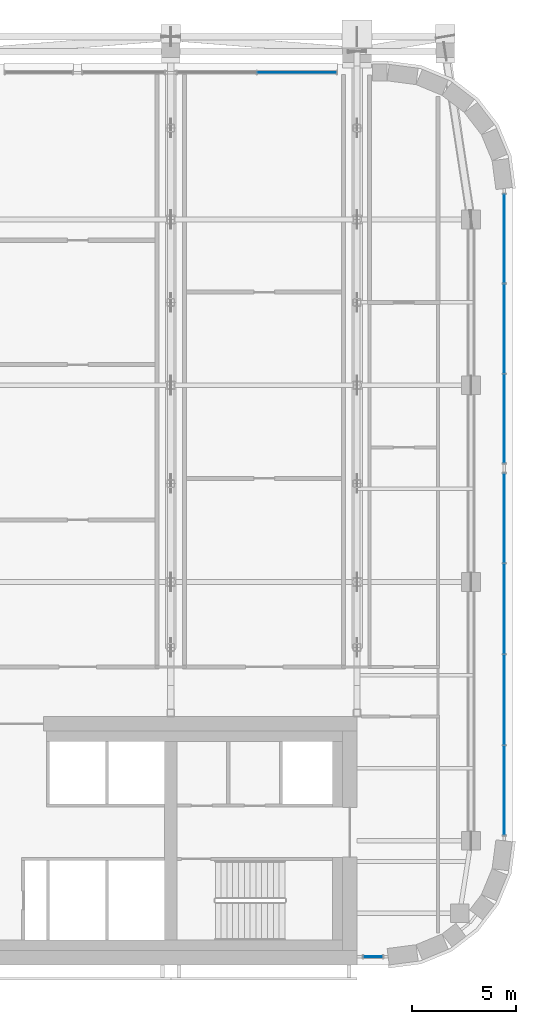
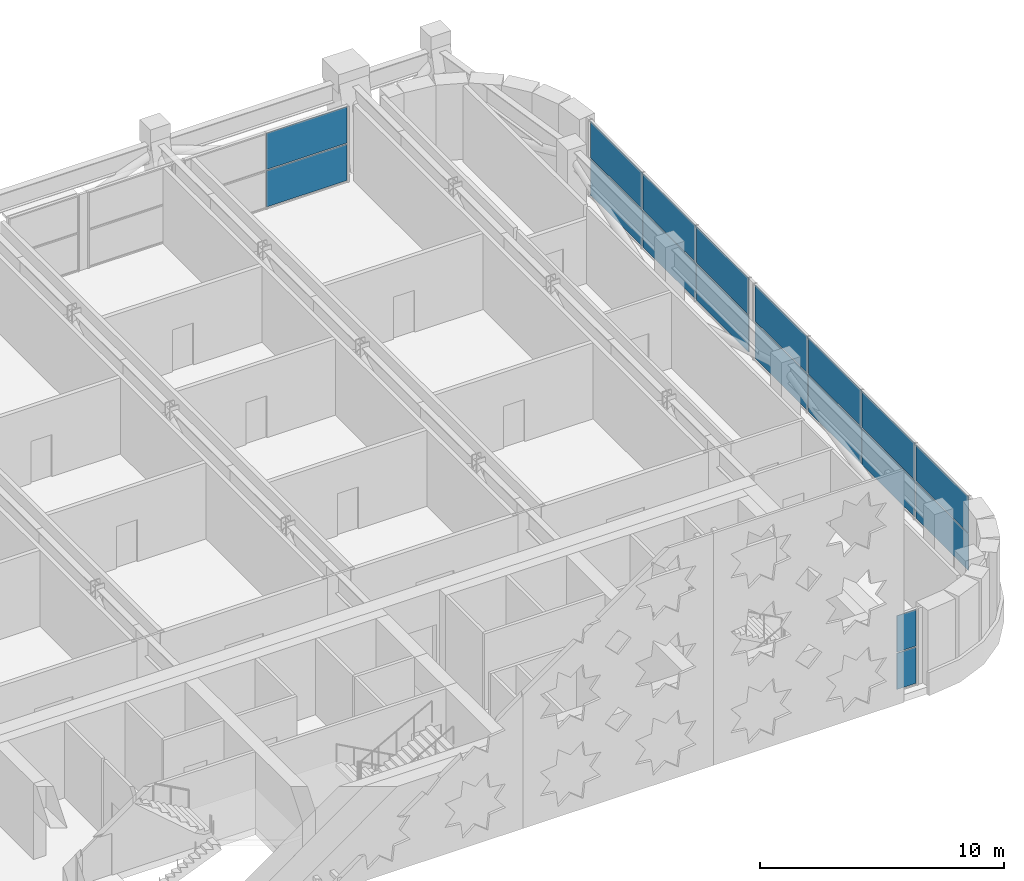
# One storey, part 15 of 26: 18 plates, 4 elements without a shape of their own.
"""IFC4 building model written with IfcOpenShell, lengths in metres."""

import ifcopenshell
import ifcopenshell.guid

model = None  # the IFC model being written
_history = None  # IfcOwnerHistory: only IFC2X3 demands one
_inside = {}  # id of a spatial element -> (the spatial element, [elements in it])
_under = {}  # id of a project, library or spatial element -> (it, [spatial elements below it])
_declared = {}  # id of a project -> (the project, [libraries it declares])
_typed = {}  # id of a type object -> (the type object, [elements of that type])
_made_of = {}  # id of a material, layer set ... -> (it, [elements and type objects made of it])


def new_model(schema):
    """Start an empty IFC model of exactly this schema.

    Asked for "IFC4X3", IfcOpenShell would pick the latest addendum, in which some entities
    have other attributes; the version numbers below select the first issue.
    IFC2X3 requires an IfcOwnerHistory on every rooted entity: one is made here for all.
    """
    global model, _history
    if schema == "IFC4X3":
        model = ifcopenshell.file(schema_version=(4, 3, 0, 0))
    else:
        model = ifcopenshell.file(schema=schema)
    _inside.clear()
    _under.clear()
    _declared.clear()
    _typed.clear()
    _made_of.clear()
    _history = None
    if model.schema == "IFC2X3":
        org = make("IfcOrganization", Name="unknown")
        user = make(
            "IfcPersonAndOrganization",
            ThePerson=make("IfcPerson", FamilyName="unknown"),
            TheOrganization=org,
        )
        app = make(
            "IfcApplication",
            ApplicationDeveloper=org,
            Version="unknown",
            ApplicationFullName="unknown",
            ApplicationIdentifier="unknown",
        )
        _history = make(
            "IfcOwnerHistory",
            OwningUser=user,
            OwningApplication=app,
            ChangeAction="ADDED",
            CreationDate=0,
        )
    return model


def make(cls, **values):
    """One entity of the class cls with the attributes given. An attribute that is None is left unset."""
    return model.create_entity(
        cls, **{name: value for name, value in values.items() if value is not None}
    )


def rooted(cls, **values):
    """An entity with a GlobalId (a new one), such as an element, a storey or a relation."""
    return make(cls, GlobalId=ifcopenshell.guid.new(), OwnerHistory=_history, **values)


def si_unit(unit_type, name, prefix=None):
    """IfcSIUnit, for example si_unit("LENGTHUNIT", "METRE", prefix="MILLI")."""
    return make("IfcSIUnit", UnitType=unit_type, Prefix=prefix, Name=name)


def assignment(units):
    """IfcUnitAssignment: the units of a project."""
    return None if units is None else make("IfcUnitAssignment", Units=units)


def point(xyz):
    """IfcCartesianPoint."""
    return None if xyz is None else make("IfcCartesianPoint", Coordinates=xyz)


def direction(xyz):
    """IfcDirection."""
    return None if xyz is None else make("IfcDirection", DirectionRatios=xyz)


def frame(location, z_axis=None, x_axis=None):
    """IfcAxis2Placement3D, a coordinate frame: its origin and axes. An axis left out is left unset."""
    return make(
        "IfcAxis2Placement3D",
        Location=point(location),
        Axis=direction(z_axis),
        RefDirection=direction(x_axis),
    )


def frame_2d(location, x_axis=None):
    """IfcAxis2Placement2D, a coordinate frame in the plane: its origin and x axis."""
    return make(
        "IfcAxis2Placement2D", Location=point(location), RefDirection=direction(x_axis)
    )


def origin():
    """The frame at (0, 0, 0) with its axes left unset."""
    return frame((0.0, 0.0, 0.0))


def origin_2d():
    """The frame at (0, 0) in the plane with its x axis left unset."""
    return frame_2d((0.0, 0.0))


def place(relative_to, where):
    """IfcLocalPlacement: puts the frame where relative to a parent placement (None: the world)."""
    return make(
        "IfcLocalPlacement", PlacementRelTo=relative_to, RelativePlacement=where
    )


def context(
    kind, dimensions, precision=None, world=None, true_north=None, identifier=None
):
    """IfcGeometricRepresentationContext, for example the 3D "Model" context."""
    return make(
        "IfcGeometricRepresentationContext",
        ContextIdentifier=identifier,
        ContextType=kind,
        CoordinateSpaceDimension=dimensions,
        Precision=precision,
        WorldCoordinateSystem=world,
        TrueNorth=true_north,
    )


def subcontext(parent, identifier, kind, view, scale=None):
    """IfcGeometricRepresentationSubContext, for example "Body" below "Model"."""
    return make(
        "IfcGeometricRepresentationSubContext",
        ContextIdentifier=identifier,
        ContextType=kind,
        ParentContext=parent,
        TargetScale=scale,
        TargetView=view,
    )


def project(units=None, contexts=None):
    """IfcProject with its units and contexts."""
    return rooted(
        "IfcProject",
        Name="project",
        RepresentationContexts=contexts,
        UnitsInContext=assignment(units),
    )


def spatial(cls, under=None, at=None, **own):
    """A site, building, storey or space (cls), placed at a placement, below another one or the project."""
    s = rooted(cls, ObjectPlacement=at, **own)
    if under is not None:
        _under.setdefault(under.id(), (under, []))[1].append(s)
    return s


def profile(cls, at=None, kind="AREA", **sizes):
    """A parametric profile (cls). Its sizes go by their IFC names, for example OverallWidth=200.0."""
    return make(cls, ProfileType=kind, Position=at, **sizes)


def rectangle(**sizes):
    """IfcRectangleProfileDef."""
    return profile("IfcRectangleProfileDef", **sizes)


def extrude(swept, where, along, depth):
    """IfcExtrudedAreaSolid: the profile swept, set in the frame where, extruded along a direction by depth."""
    return make(
        "IfcExtrudedAreaSolid",
        SweptArea=swept,
        Position=where,
        ExtrudedDirection=direction(along),
        Depth=depth,
    )


def shape(context_of_items, identifier, shape_type, items):
    """IfcShapeRepresentation: the items that make up one representation, for example the "Body"."""
    return make(
        "IfcShapeRepresentation",
        ContextOfItems=context_of_items,
        RepresentationIdentifier=identifier,
        RepresentationType=shape_type,
        Items=items,
    )


def material(Name=None, Category=None):
    """IfcMaterial."""
    return make("IfcMaterial", Name=Name, Category=Category)


def layer(
    of_material, thickness, ventilated=None, Name=None, Category=None, Priority=None
):
    """IfcMaterialLayer: one layer of a wall or slab, of a material (None: an air gap)."""
    return make(
        "IfcMaterialLayer",
        Material=of_material,
        LayerThickness=thickness,
        IsVentilated=ventilated,
        Name=Name,
        Category=Category,
        Priority=Priority,
    )


def layer_set(layers, Name=None):
    """IfcMaterialLayerSet."""
    return make("IfcMaterialLayerSet", MaterialLayers=layers, LayerSetName=Name)


def made_of(thing, what):
    """Note that an element or type object is made of a material, layer set ...; save() writes the relation."""
    if what is not None:
        _made_of.setdefault(what.id(), (what, []))[1].append(thing)
    return thing


def type_object(cls, material=None, **own):
    """A type object (cls), such as IfcWallType, which elements share."""
    return made_of(rooted(cls, **own), material)


def element(
    cls,
    number,
    at=None,
    inside=None,
    cuts=None,
    type_object=None,
    material=None,
    context=None,
    identifier="Body",
    shape_type=None,
    held_by="IfcProductDefinitionShape",
    body=None,
    shapes=None,
    **own,
):
    """One element of the class cls, such as IfcWall. Its Tag is "e" and its number.

    at: its placement. inside: the storey or other place that contains it. cuts: it is an
    opening in that element (IfcRelVoidsElement). A single representation is given by context,
    identifier, shape_type and body (its items); several are given by shapes. held_by: the class
    of the entity that holds the representations. save() writes the other relations.
    """
    e = rooted(cls, Tag="e%d" % number, ObjectPlacement=at, **own)
    if body is not None:
        shapes = [shape(context, identifier, shape_type, body)]
    if shapes is not None:
        e.Representation = make(held_by, Representations=shapes)
    if inside is not None:
        _inside.setdefault(inside.id(), (inside, []))[1].append(e)
    if cuts is not None:
        rooted(
            "IfcRelVoidsElement", RelatingBuildingElement=cuts, RelatedOpeningElement=e
        )
    if type_object is not None:
        _typed.setdefault(type_object.id(), (type_object, []))[1].append(e)
    return made_of(e, material)


def aggregate(whole, parts):
    """IfcRelAggregates: a whole, such as a stair, and the parts it consists of."""
    return rooted("IfcRelAggregates", RelatingObject=whole, RelatedObjects=parts)


def save(model, path):
    """Write the relations noted so far, then the file.

    IfcRelAggregates (storeys below a building ...), IfcRelContainedInSpatialStructure (elements
    in a storey), IfcRelDefinesByType, IfcRelAssociatesMaterial and IfcRelDeclares: one each for
    every whole, place, type object, material and project.
    """
    for whole, parts in _under.values():
        aggregate(whole, parts)
    for where, things in _inside.values():
        rooted(
            "IfcRelContainedInSpatialStructure",
            RelatedElements=things,
            RelatingStructure=where,
        )
    for kind, things in _typed.values():
        rooted("IfcRelDefinesByType", RelatedObjects=things, RelatingType=kind)
    for what, things in _made_of.values():
        rooted("IfcRelAssociatesMaterial", RelatedObjects=things, RelatingMaterial=what)
    for by, libraries in _declared.values():
        rooted("IfcRelDeclares", RelatingContext=by, RelatedDefinitions=libraries)
    model.write(path)


model = new_model("IFC4")

# Units and contexts
model_context = context("Model", 3, precision=1e-05, world=origin(), true_north=direction((0.0, 1.0)))
body_context = subcontext(model_context, "Body", "Model", "MODEL_VIEW")
ifc_project = project(units=[si_unit("LENGTHUNIT", "METRE"), si_unit("AREAUNIT", "SQUARE_METRE"), si_unit("VOLUMEUNIT", "CUBIC_METRE"), si_unit("PLANEANGLEUNIT", "RADIAN"), si_unit("MASSUNIT", "GRAM", prefix="KILO")], contexts=[model_context])

# Site, building, storey
site_placement = place(None, origin())
site = spatial("IfcSite", under=ifc_project, at=site_placement, CompositionType="ELEMENT")
building_placement = place(site_placement, origin())
building = spatial("IfcBuilding", under=site, at=building_placement, Name="Zellij Exchange Tower", CompositionType="ELEMENT")
storey_placement = place(building_placement, frame((0.0, 0.0, 216.5)))
storey = spatial("IfcBuildingStorey", under=building, at=storey_placement, Name="L50", CompositionType="ELEMENT", Elevation=216.5)

# Curtain wall, plates
ifc_material_1 = material(Name="Aluminium frame, clear insulating glass", Category="aluminium")
curtain_wall_type = type_object("IfcCurtainWallType", Name="ENV-CW2 Outrigger-storey glazing", PredefinedType="NOTDEFINED", material=ifc_material_1)
curtain_wall_1_placement = place(storey_placement, origin())
curtain_wall_1 = element("IfcCurtainWall", 1, at=curtain_wall_1_placement, inside=storey, type_object=curtain_wall_type, Name="cw.L50.07a", PredefinedType="NOTDEFINED")
ifc_material_2 = material(Name="Aluminium louvre", Category="aluminium")
ifc_layer_1 = layer(ifc_material_2, 0.031982421875)
ifc_layer_set_1 = layer_set([ifc_layer_1], Name="Aluminium louvre")
plate_type_1 = type_object("IfcPlateType", Name="ENV-CW2L Louvred panel 32", PredefinedType="CURTAIN_PANEL", material=ifc_layer_set_1)
plate_1_placement = place(storey_placement, frame((34.10009765625, -5.5625, 0.06005859375), z_axis=(0.0, 0.0, 1.0), x_axis=(0.0, 1.0, 0.0)))
plate_1 = element("IfcPlate", 2, at=plate_1_placement, type_object=plate_type_1, Name="CW2 panel 1.1", PredefinedType="CURTAIN_PANEL", context=body_context, shape_type="SweptSolid", body=[
    extrude(rectangle(XDim=4.302490234375, YDim=0.031982421875, at=origin_2d()), origin(), (0.0, 0.0, 1.0), 1.81005859375),
])
plate_2_placement = place(storey_placement, frame((34.10009765625, -1.18505859375, 0.06005859375), z_axis=(0.0, 0.0, 1.0), x_axis=(0.0, 1.0, 0.0)))
plate_2 = element("IfcPlate", 3, at=plate_2_placement, type_object=plate_type_1, Name="CW2 panel 2.1", PredefinedType="CURTAIN_PANEL", context=body_context, shape_type="SweptSolid", body=[
    extrude(rectangle(XDim=4.33251953125, YDim=0.031982421875, at=origin_2d()), origin(), (0.0, 0.0, 1.0), 1.81005859375),
])
plate_3_placement = place(storey_placement, frame((34.10009765625, -1.18505859375, 1.929931640625), z_axis=(0.0, 0.0, 1.0), x_axis=(0.0, 1.0, 0.0)))
plate_3 = element("IfcPlate", 4, at=plate_3_placement, type_object=plate_type_1, Name="CW2 panel 2.2", PredefinedType="CURTAIN_PANEL", context=body_context, shape_type="SweptSolid", body=[
    extrude(rectangle(XDim=4.33251953125, YDim=0.031982421875, at=origin_2d()), origin(), (0.0, 0.0, 1.0), 1.81005859375),
])
plate_4_placement = place(storey_placement, frame((34.10009765625, 3.20751953125, 1.929931640625), z_axis=(0.0, 0.0, 1.0), x_axis=(0.0, 1.0, 0.0)))
plate_4 = element("IfcPlate", 5, at=plate_4_placement, type_object=plate_type_1, Name="CW2 panel 3.2", PredefinedType="CURTAIN_PANEL", context=body_context, shape_type="SweptSolid", body=[
    extrude(rectangle(XDim=4.33251953125, YDim=0.031982421875, at=origin_2d()), origin(), (0.0, 0.0, 1.0), 1.81005859375),
])
plate_5_placement = place(storey_placement, frame((34.10009765625, 7.5849609375, 0.06005859375), z_axis=(0.0, 0.0, 1.0), x_axis=(0.0, 1.0, 0.0)))
plate_5 = element("IfcPlate", 6, at=plate_5_placement, type_object=plate_type_1, Name="CW2 panel 4.1", PredefinedType="CURTAIN_PANEL", context=body_context, shape_type="SweptSolid", body=[
    extrude(rectangle(XDim=4.302490234375, YDim=0.031982421875, at=origin_2d()), origin(), (0.0, 0.0, 1.0), 1.81005859375),
])
plate_6_placement = place(storey_placement, frame((34.10009765625, 7.5849609375, 1.929931640625), z_axis=(0.0, 0.0, 1.0), x_axis=(0.0, 1.0, 0.0)))
plate_6 = element("IfcPlate", 7, at=plate_6_placement, type_object=plate_type_1, Name="CW2 panel 4.2", PredefinedType="CURTAIN_PANEL", context=body_context, shape_type="SweptSolid", body=[
    extrude(rectangle(XDim=4.302490234375, YDim=0.031982421875, at=origin_2d()), origin(), (0.0, 0.0, 1.0), 1.81005859375),
])

curtain_wall_2_placement = place(storey_placement, origin())
curtain_wall_2 = element("IfcCurtainWall", 8, at=curtain_wall_2_placement, inside=storey, type_object=curtain_wall_type, Name="cw.L50.07b", PredefinedType="NOTDEFINED")
plate_7_placement = place(storey_placement, frame((34.10009765625, 12.390869140625, 0.06005859375), z_axis=(0.0, 0.0, 1.0), x_axis=(0.0, 1.0, 0.0)))
plate_7 = element("IfcPlate", 9, at=plate_7_placement, type_object=plate_type_1, Name="CW2 panel 1.1", PredefinedType="CURTAIN_PANEL", context=body_context, shape_type="SweptSolid", body=[
    extrude(rectangle(XDim=4.269287109375, YDim=0.031982421875, at=origin_2d()), origin(), (0.0, 0.0, 1.0), 1.81005859375),
])
plate_8_placement = place(storey_placement, frame((34.10009765625, 16.735107421875, 0.06005859375), z_axis=(0.0, 0.0, 1.0), x_axis=(0.0, 1.0, 0.0)))
plate_8 = element("IfcPlate", 10, at=plate_8_placement, type_object=plate_type_1, Name="CW2 panel 2.1", PredefinedType="CURTAIN_PANEL", context=body_context, shape_type="SweptSolid", body=[
    extrude(rectangle(XDim=4.29931640625, YDim=0.031982421875, at=origin_2d()), origin(), (0.0, 0.0, 1.0), 1.81005859375),
])
plate_9_placement = place(storey_placement, frame((34.10009765625, 16.735107421875, 1.929931640625), z_axis=(0.0, 0.0, 1.0), x_axis=(0.0, 1.0, 0.0)))
plate_9 = element("IfcPlate", 11, at=plate_9_placement, type_object=plate_type_1, Name="CW2 panel 2.2", PredefinedType="CURTAIN_PANEL", context=body_context, shape_type="SweptSolid", body=[
    extrude(rectangle(XDim=4.29931640625, YDim=0.031982421875, at=origin_2d()), origin(), (0.0, 0.0, 1.0), 1.81005859375),
])
plate_10_placement = place(storey_placement, frame((34.10009765625, 21.0791015625, 1.929931640625), z_axis=(0.0, 0.0, 1.0), x_axis=(0.0, 1.0, 0.0)))
plate_10 = element("IfcPlate", 12, at=plate_10_placement, type_object=plate_type_1, Name="CW2 panel 3.2", PredefinedType="CURTAIN_PANEL", context=body_context, shape_type="SweptSolid", body=[
    extrude(rectangle(XDim=4.269287109375, YDim=0.031982421875, at=origin_2d()), origin(), (0.0, 0.0, 1.0), 1.81005859375),
])

# Curtain wall, plate
curtain_wall_3_placement = place(storey_placement, origin())
curtain_wall_3 = element("IfcCurtainWall", 13, at=curtain_wall_3_placement, inside=storey, type_object=curtain_wall_type, Name="cw.L50.14b.a", PredefinedType="NOTDEFINED")
plate_11_placement = place(storey_placement, frame((24.0849609375, 29.10009765625, 0.06005859375), z_axis=(0.0, 0.0, 1.0), x_axis=(-1.0, 0.0, 0.0)))
plate_11 = element("IfcPlate", 14, at=plate_11_placement, type_object=plate_type_1, Name="CW2 panel 1.1", PredefinedType="CURTAIN_PANEL", context=body_context, shape_type="SweptSolid", body=[
    extrude(rectangle(XDim=3.81005859375, YDim=0.031982421875, at=origin_2d()), origin(), (0.0, 0.0, 1.0), 1.81005859375),
])

# Curtain wall, plates
curtain_wall_4_placement = place(storey_placement, origin())
curtain_wall_4 = element("IfcCurtainWall", 15, at=curtain_wall_4_placement, inside=storey, type_object=curtain_wall_type, Name="cw.L50.00b", PredefinedType="NOTDEFINED")
ifc_material_3 = material(Name="Insulating glass unit, clear", Category="glass")
ifc_layer_2 = layer(ifc_material_3, 0.031982421875)
ifc_layer_set_2 = layer_set([ifc_layer_2], Name="Insulating glass unit, clear")
plate_type_2 = type_object("IfcPlateType", Name="ENV-CW2P Glazed panel 32", PredefinedType="CURTAIN_PANEL", material=ifc_layer_set_2)
plate_12_placement = place(storey_placement, frame((27.761962890625, -13.60009765625, 0.06005859375), z_axis=(0.0, 0.0, 1.0), x_axis=(1.0, 0.0, 0.0)))
plate_12 = element("IfcPlate", 16, at=plate_12_placement, type_object=plate_type_2, Name="CW2 panel 1.1", PredefinedType="CURTAIN_PANEL", context=body_context, shape_type="SweptSolid", body=[
    extrude(rectangle(XDim=0.90380859375, YDim=0.031982421875, at=origin_2d()), origin(), (0.0, 0.0, 1.0), 1.81005859375),
])
plate_13_placement = place(storey_placement, frame((27.761962890625, -13.60009765625, 1.929931640625), z_axis=(0.0, 0.0, 1.0), x_axis=(1.0, 0.0, 0.0)))
plate_13 = element("IfcPlate", 17, at=plate_13_placement, type_object=plate_type_2, Name="CW2 panel 1.2", PredefinedType="CURTAIN_PANEL", context=body_context, shape_type="SweptSolid", body=[
    extrude(rectangle(XDim=0.90380859375, YDim=0.031982421875, at=origin_2d()), origin(), (0.0, 0.0, 1.0), 1.81005859375),
])
aggregate(curtain_wall_4, [plate_12, plate_13])

# Plate
plate_14_placement = place(storey_placement, frame((34.10009765625, -5.5625, 1.929931640625), z_axis=(0.0, 0.0, 1.0), x_axis=(0.0, 1.0, 0.0)))
plate_14 = element("IfcPlate", 18, at=plate_14_placement, type_object=plate_type_2, Name="CW2 panel 1.2", PredefinedType="CURTAIN_PANEL", context=body_context, shape_type="SweptSolid", body=[
    extrude(rectangle(XDim=4.302490234375, YDim=0.031982421875, at=origin_2d()), origin(), (0.0, 0.0, 1.0), 1.81005859375),
])

plate_15_placement = place(storey_placement, frame((34.10009765625, 3.20751953125, 0.06005859375), z_axis=(0.0, 0.0, 1.0), x_axis=(0.0, 1.0, 0.0)))
plate_15 = element("IfcPlate", 19, at=plate_15_placement, type_object=plate_type_2, Name="CW2 panel 3.1", PredefinedType="CURTAIN_PANEL", context=body_context, shape_type="SweptSolid", body=[
    extrude(rectangle(XDim=4.33251953125, YDim=0.031982421875, at=origin_2d()), origin(), (0.0, 0.0, 1.0), 1.81005859375),
])

aggregate(curtain_wall_1, [plate_1, plate_14, plate_2, plate_3, plate_15, plate_4, plate_5, plate_6])

plate_16_placement = place(storey_placement, frame((34.10009765625, 12.390869140625, 1.929931640625), z_axis=(0.0, 0.0, 1.0), x_axis=(0.0, 1.0, 0.0)))
plate_16 = element("IfcPlate", 20, at=plate_16_placement, type_object=plate_type_2, Name="CW2 panel 1.2", PredefinedType="CURTAIN_PANEL", context=body_context, shape_type="SweptSolid", body=[
    extrude(rectangle(XDim=4.269287109375, YDim=0.031982421875, at=origin_2d()), origin(), (0.0, 0.0, 1.0), 1.81005859375),
])

plate_17_placement = place(storey_placement, frame((34.10009765625, 21.0791015625, 0.06005859375), z_axis=(0.0, 0.0, 1.0), x_axis=(0.0, 1.0, 0.0)))
plate_17 = element("IfcPlate", 21, at=plate_17_placement, type_object=plate_type_2, Name="CW2 panel 3.1", PredefinedType="CURTAIN_PANEL", context=body_context, shape_type="SweptSolid", body=[
    extrude(rectangle(XDim=4.269287109375, YDim=0.031982421875, at=origin_2d()), origin(), (0.0, 0.0, 1.0), 1.81005859375),
])

aggregate(curtain_wall_2, [plate_7, plate_16, plate_8, plate_9, plate_17, plate_10])

plate_18_placement = place(storey_placement, frame((24.0849609375, 29.10009765625, 1.929931640625), z_axis=(0.0, 0.0, 1.0), x_axis=(-1.0, 0.0, 0.0)))
plate_18 = element("IfcPlate", 22, at=plate_18_placement, type_object=plate_type_2, Name="CW2 panel 1.2", PredefinedType="CURTAIN_PANEL", context=body_context, shape_type="SweptSolid", body=[
    extrude(rectangle(XDim=3.81005859375, YDim=0.031982421875, at=origin_2d()), origin(), (0.0, 0.0, 1.0), 1.81005859375),
])

aggregate(curtain_wall_3, [plate_11, plate_18])

save(model, "model.ifc")
